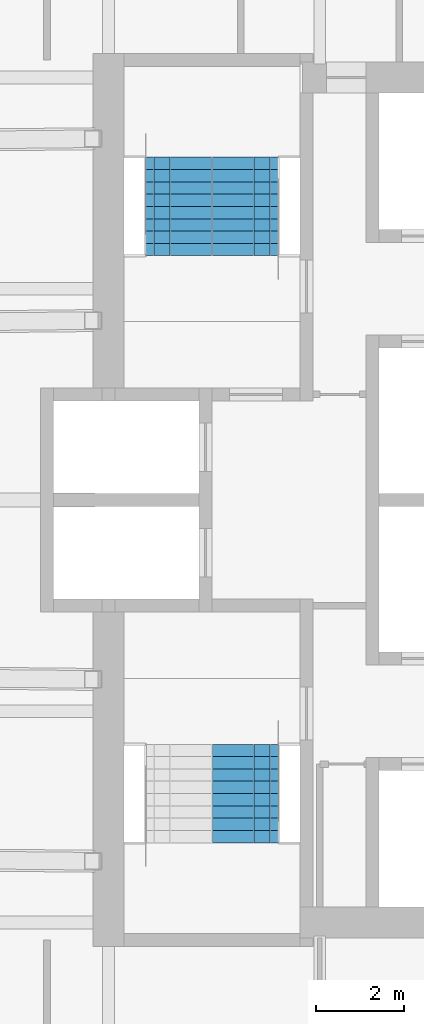
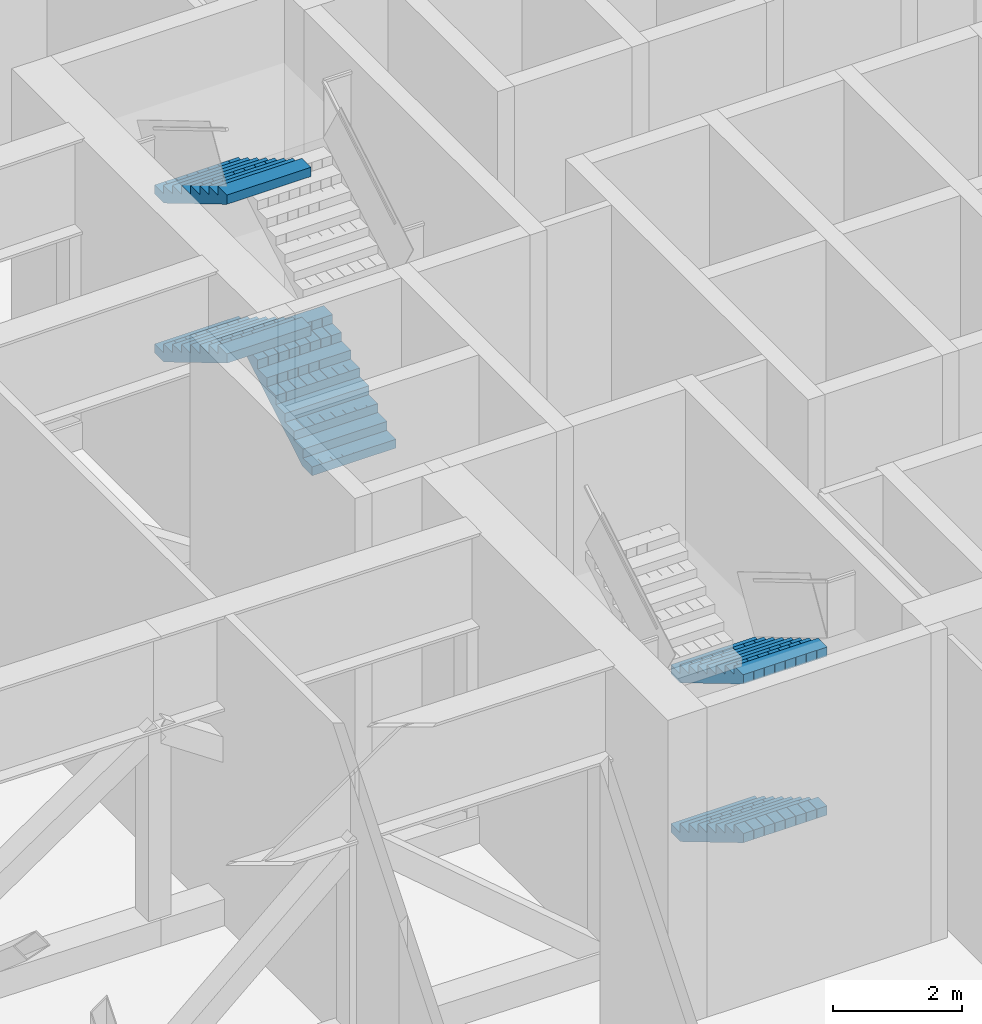
# One storey, part 18 of 24: 5 stair flights, 2 elements without a shape of their own.
"""IFC4 building model written with IfcOpenShell, lengths in metres."""

from ifc_helpers import new_model, si_unit, direction, frame, origin, place, context, subcontext, project, spatial, polyline, outline, extrude, material, type_object, element, aggregate, save


model = new_model("IFC4")

# Units and contexts
model_context = context("Model", 3, precision=1e-05, world=origin(), true_north=direction((0.0, 1.0)))
body_context = subcontext(model_context, "Body", "Model", "MODEL_VIEW")
ifc_project = project(units=[si_unit("LENGTHUNIT", "METRE"), si_unit("AREAUNIT", "SQUARE_METRE"), si_unit("VOLUMEUNIT", "CUBIC_METRE"), si_unit("PLANEANGLEUNIT", "RADIAN"), si_unit("MASSUNIT", "GRAM", prefix="KILO")], contexts=[model_context])

# Site, building, storey
site_placement = place(None, origin())
site = spatial("IfcSite", under=ifc_project, at=site_placement, CompositionType="ELEMENT")
building_placement = place(site_placement, origin())
building = spatial("IfcBuilding", under=site, at=building_placement, Name="Kolab Exchange Tower", CompositionType="ELEMENT")
storey_placement = place(building_placement, frame((0.0, 0.0, 216.800048828125)))
storey = spatial("IfcBuildingStorey", under=building, at=storey_placement, Name="L47", CompositionType="ELEMENT", Elevation=216.800048828125)

# Stair, stair flights
ifc_material = material(Name="Concrete C50/60", Category="concrete")
stair_type_1 = type_object("IfcStairType", Name="STAIR ST1 RISER 166.7", PredefinedType="DOUBLE_RETURN_STAIR", material=ifc_material)
stair_1_placement = place(storey_placement, origin())
stair_1 = element("IfcStair", 1, at=stair_1_placement, inside=storey, type_object=stair_type_1, Name="Stair 1", PredefinedType="DOUBLE_RETURN_STAIR")
stair_flight_type = type_object("IfcStairFlightType", Name="STAIR FLIGHT 1500 RISER 166.7", PredefinedType="STRAIGHT", material=ifc_material)
stair_flight_1_placement = place(storey_placement, frame((-6.489990234375, 5.550048828125, 0.0), z_axis=(0.0, 0.0, 1.0), x_axis=(0.0, 1.0, 0.0)))
stair_flight_1 = element("IfcStairFlight", 2, at=stair_flight_1_placement, type_object=stair_flight_type, Name="ST1 flight 1", NumberOfRisers=9, NumberOfTreads=8, PredefinedType="STRAIGHT", RiserHeight=0.166666667, TreadLength=0.28, context=body_context, shape_type="SweptSolid", body=[
    extrude(outline(polyline([(0.0, 0.0), (0.0, 0.166748046875), (0.280029296875, 0.166748046875), (0.280029296875, 0.333251953125), (0.56005859375, 0.333251953125), (0.56005859375, 0.5), (0.840087890625, 0.5), (0.840087890625, 0.666748046875), (1.1201171875, 0.666748046875), (1.1201171875, 0.833251953125), (1.39990234375, 0.833251953125), (1.39990234375, 1.0), (1.679931640625, 1.0), (1.679931640625, 1.166748046875), (1.9599609375, 1.166748046875), (1.9599609375, 1.333251953125), (2.239990234375, 1.333251953125), (2.239990234375, 1.5), (2.239990234375, 1.158935546875), (0.29296875, 0.0), (0.0, 0.0)])), frame((0.0, 0.75, 0.0), z_axis=(0.0, -1.0, 0.0), x_axis=(1.0, 0.0, 0.0)), (0.0, 0.0, 1.0), 0.185791015625),
    extrude(outline(polyline([(0.0, 0.0), (0.0, 0.166748046875), (0.280029296875, 0.166748046875), (0.280029296875, 0.333251953125), (0.56005859375, 0.333251953125), (0.56005859375, 0.5), (0.840087890625, 0.5), (0.840087890625, 0.666748046875), (1.1201171875, 0.666748046875), (1.1201171875, 0.833251953125), (1.39990234375, 0.833251953125), (1.39990234375, 1.0), (1.679931640625, 1.0), (1.679931640625, 1.166748046875), (1.9599609375, 1.166748046875), (1.9599609375, 1.333251953125), (2.239990234375, 1.333251953125), (2.239990234375, 1.5), (2.239990234375, 1.158935546875), (0.29296875, 0.0), (0.0, 0.0)])), frame((0.0, 0.562255859375, 0.0), z_axis=(0.0, -1.0, 0.0), x_axis=(1.0, 0.0, 0.0)), (0.0, 0.0, 1.0), 0.185791015625),
    extrude(outline(polyline([(0.0, 0.0), (0.0, 0.166748046875), (0.280029296875, 0.166748046875), (0.280029296875, 0.333251953125), (0.56005859375, 0.333251953125), (0.56005859375, 0.5), (0.840087890625, 0.5), (0.840087890625, 0.666748046875), (1.1201171875, 0.666748046875), (1.1201171875, 0.833251953125), (1.39990234375, 0.833251953125), (1.39990234375, 1.0), (1.679931640625, 1.0), (1.679931640625, 1.166748046875), (1.9599609375, 1.166748046875), (1.9599609375, 1.333251953125), (2.239990234375, 1.333251953125), (2.239990234375, 1.5), (2.239990234375, 1.158935546875), (0.29296875, 0.0), (0.0, 0.0)])), frame((0.0, 0.37451171875, 0.0), z_axis=(0.0, -1.0, 0.0), x_axis=(1.0, 0.0, 0.0)), (0.0, 0.0, 1.0), 0.185791015625),
    extrude(outline(polyline([(0.0, 0.0), (0.0, 0.166748046875), (0.280029296875, 0.166748046875), (0.280029296875, 0.333251953125), (0.56005859375, 0.333251953125), (0.56005859375, 0.5), (0.840087890625, 0.5), (0.840087890625, 0.666748046875), (1.1201171875, 0.666748046875), (1.1201171875, 0.833251953125), (1.39990234375, 0.833251953125), (1.39990234375, 1.0), (1.679931640625, 1.0), (1.679931640625, 1.166748046875), (1.9599609375, 1.166748046875), (1.9599609375, 1.333251953125), (2.239990234375, 1.333251953125), (2.239990234375, 1.5), (2.239990234375, 1.158935546875), (0.29296875, 0.0), (0.0, 0.0)])), frame((0.0, 0.186767578125, 0.0), z_axis=(0.0, -1.0, 0.0), x_axis=(1.0, 0.0, 0.0)), (0.0, 0.0, 1.0), 0.185791015625),
    extrude(outline(polyline([(0.0, 0.0), (0.0, 0.166748046875), (0.280029296875, 0.166748046875), (0.280029296875, 0.333251953125), (0.56005859375, 0.333251953125), (0.56005859375, 0.5), (0.840087890625, 0.5), (0.840087890625, 0.666748046875), (1.1201171875, 0.666748046875), (1.1201171875, 0.833251953125), (1.39990234375, 0.833251953125), (1.39990234375, 1.0), (1.679931640625, 1.0), (1.679931640625, 1.166748046875), (1.9599609375, 1.166748046875), (1.9599609375, 1.333251953125), (2.239990234375, 1.333251953125), (2.239990234375, 1.5), (2.239990234375, 1.158935546875), (0.29296875, 0.0), (0.0, 0.0)])), frame((0.0, -0.0009765625, 0.0), z_axis=(0.0, -1.0, 0.0), x_axis=(1.0, 0.0, 0.0)), (0.0, 0.0, 1.0), 0.185791015625),
    extrude(outline(polyline([(0.0, 0.0), (0.0, 0.166748046875), (0.280029296875, 0.166748046875), (0.280029296875, 0.333251953125), (0.56005859375, 0.333251953125), (0.56005859375, 0.5), (0.840087890625, 0.5), (0.840087890625, 0.666748046875), (1.1201171875, 0.666748046875), (1.1201171875, 0.833251953125), (1.39990234375, 0.833251953125), (1.39990234375, 1.0), (1.679931640625, 1.0), (1.679931640625, 1.166748046875), (1.9599609375, 1.166748046875), (1.9599609375, 1.333251953125), (2.239990234375, 1.333251953125), (2.239990234375, 1.5), (2.239990234375, 1.158935546875), (0.29296875, 0.0), (0.0, 0.0)])), frame((0.0, -0.188720703125, 0.0), z_axis=(0.0, -1.0, 0.0), x_axis=(1.0, 0.0, 0.0)), (0.0, 0.0, 1.0), 0.185791015625),
    extrude(outline(polyline([(0.0, 0.0), (0.0, 0.166748046875), (0.280029296875, 0.166748046875), (0.280029296875, 0.333251953125), (0.56005859375, 0.333251953125), (0.56005859375, 0.5), (0.840087890625, 0.5), (0.840087890625, 0.666748046875), (1.1201171875, 0.666748046875), (1.1201171875, 0.833251953125), (1.39990234375, 0.833251953125), (1.39990234375, 1.0), (1.679931640625, 1.0), (1.679931640625, 1.166748046875), (1.9599609375, 1.166748046875), (1.9599609375, 1.333251953125), (2.239990234375, 1.333251953125), (2.239990234375, 1.5), (2.239990234375, 1.158935546875), (0.29296875, 0.0), (0.0, 0.0)])), frame((0.0, -0.37646484375, 0.0), z_axis=(0.0, -1.0, 0.0), x_axis=(1.0, 0.0, 0.0)), (0.0, 0.0, 1.0), 0.185791015625),
    extrude(outline(polyline([(0.0, 0.0), (0.0, 0.166748046875), (0.280029296875, 0.166748046875), (0.280029296875, 0.333251953125), (0.56005859375, 0.333251953125), (0.56005859375, 0.5), (0.840087890625, 0.5), (0.840087890625, 0.666748046875), (1.1201171875, 0.666748046875), (1.1201171875, 0.833251953125), (1.39990234375, 0.833251953125), (1.39990234375, 1.0), (1.679931640625, 1.0), (1.679931640625, 1.166748046875), (1.9599609375, 1.166748046875), (1.9599609375, 1.333251953125), (2.239990234375, 1.333251953125), (2.239990234375, 1.5), (2.239990234375, 1.158935546875), (0.29296875, 0.0), (0.0, 0.0)])), frame((0.0, -0.564208984375, 0.0), z_axis=(0.0, -1.0, 0.0), x_axis=(1.0, 0.0, 0.0)), (0.0, 0.0, 1.0), 0.185791015625),
])
stair_flight_2_placement = place(storey_placement, frame((-8.010009765625, 7.7900390625, 1.5), z_axis=(0.0, 0.0, 1.0), x_axis=(0.0, -1.0, 0.0)))
stair_flight_2 = element("IfcStairFlight", 3, at=stair_flight_2_placement, type_object=stair_flight_type, Name="ST1 flight 2", NumberOfRisers=9, NumberOfTreads=8, PredefinedType="STRAIGHT", RiserHeight=0.166666667, TreadLength=0.28, context=body_context, shape_type="SweptSolid", body=[
    extrude(outline(polyline([(0.0, 0.0), (0.0, 0.166748046875), (0.280029296875, 0.166748046875), (0.280029296875, 0.333251953125), (0.56005859375, 0.333251953125), (0.56005859375, 0.5), (0.840087890625, 0.5), (0.840087890625, 0.666748046875), (1.1201171875, 0.666748046875), (1.1201171875, 0.833251953125), (1.39990234375, 0.833251953125), (1.39990234375, 1.0), (1.679931640625, 1.0), (1.679931640625, 1.166748046875), (1.9599609375, 1.166748046875), (1.9599609375, 1.333251953125), (2.239990234375, 1.333251953125), (2.239990234375, 1.5), (2.239990234375, 1.158935546875), (0.29296875, 0.0), (0.0, 0.0)])), frame((0.0, 0.75, 0.0), z_axis=(0.0, -1.0, 0.0), x_axis=(1.0, 0.0, 0.0)), (0.0, 0.0, 1.0), 0.185791015625),
    extrude(outline(polyline([(0.0, 0.0), (0.0, 0.166748046875), (0.280029296875, 0.166748046875), (0.280029296875, 0.333251953125), (0.56005859375, 0.333251953125), (0.56005859375, 0.5), (0.840087890625, 0.5), (0.840087890625, 0.666748046875), (1.1201171875, 0.666748046875), (1.1201171875, 0.833251953125), (1.39990234375, 0.833251953125), (1.39990234375, 1.0), (1.679931640625, 1.0), (1.679931640625, 1.166748046875), (1.9599609375, 1.166748046875), (1.9599609375, 1.333251953125), (2.239990234375, 1.333251953125), (2.239990234375, 1.5), (2.239990234375, 1.158935546875), (0.29296875, 0.0), (0.0, 0.0)])), frame((0.0, 0.562255859375, 0.0), z_axis=(0.0, -1.0, 0.0), x_axis=(1.0, 0.0, 0.0)), (0.0, 0.0, 1.0), 0.185791015625),
    extrude(outline(polyline([(0.0, 0.0), (0.0, 0.166748046875), (0.280029296875, 0.166748046875), (0.280029296875, 0.333251953125), (0.56005859375, 0.333251953125), (0.56005859375, 0.5), (0.840087890625, 0.5), (0.840087890625, 0.666748046875), (1.1201171875, 0.666748046875), (1.1201171875, 0.833251953125), (1.39990234375, 0.833251953125), (1.39990234375, 1.0), (1.679931640625, 1.0), (1.679931640625, 1.166748046875), (1.9599609375, 1.166748046875), (1.9599609375, 1.333251953125), (2.239990234375, 1.333251953125), (2.239990234375, 1.5), (2.239990234375, 1.158935546875), (0.29296875, 0.0), (0.0, 0.0)])), frame((0.0, 0.37451171875, 0.0), z_axis=(0.0, -1.0, 0.0), x_axis=(1.0, 0.0, 0.0)), (0.0, 0.0, 1.0), 0.185791015625),
    extrude(outline(polyline([(0.0, 0.0), (0.0, 0.166748046875), (0.280029296875, 0.166748046875), (0.280029296875, 0.333251953125), (0.56005859375, 0.333251953125), (0.56005859375, 0.5), (0.840087890625, 0.5), (0.840087890625, 0.666748046875), (1.1201171875, 0.666748046875), (1.1201171875, 0.833251953125), (1.39990234375, 0.833251953125), (1.39990234375, 1.0), (1.679931640625, 1.0), (1.679931640625, 1.166748046875), (1.9599609375, 1.166748046875), (1.9599609375, 1.333251953125), (2.239990234375, 1.333251953125), (2.239990234375, 1.5), (2.239990234375, 1.158935546875), (0.29296875, 0.0), (0.0, 0.0)])), frame((0.0, 0.186767578125, 0.0), z_axis=(0.0, -1.0, 0.0), x_axis=(1.0, 0.0, 0.0)), (0.0, 0.0, 1.0), 0.185791015625),
    extrude(outline(polyline([(0.0, 0.0), (0.0, 0.166748046875), (0.280029296875, 0.166748046875), (0.280029296875, 0.333251953125), (0.56005859375, 0.333251953125), (0.56005859375, 0.5), (0.840087890625, 0.5), (0.840087890625, 0.666748046875), (1.1201171875, 0.666748046875), (1.1201171875, 0.833251953125), (1.39990234375, 0.833251953125), (1.39990234375, 1.0), (1.679931640625, 1.0), (1.679931640625, 1.166748046875), (1.9599609375, 1.166748046875), (1.9599609375, 1.333251953125), (2.239990234375, 1.333251953125), (2.239990234375, 1.5), (2.239990234375, 1.158935546875), (0.29296875, 0.0), (0.0, 0.0)])), frame((0.0, -0.0009765625, 0.0), z_axis=(0.0, -1.0, 0.0), x_axis=(1.0, 0.0, 0.0)), (0.0, 0.0, 1.0), 0.185791015625),
    extrude(outline(polyline([(0.0, 0.0), (0.0, 0.166748046875), (0.280029296875, 0.166748046875), (0.280029296875, 0.333251953125), (0.56005859375, 0.333251953125), (0.56005859375, 0.5), (0.840087890625, 0.5), (0.840087890625, 0.666748046875), (1.1201171875, 0.666748046875), (1.1201171875, 0.833251953125), (1.39990234375, 0.833251953125), (1.39990234375, 1.0), (1.679931640625, 1.0), (1.679931640625, 1.166748046875), (1.9599609375, 1.166748046875), (1.9599609375, 1.333251953125), (2.239990234375, 1.333251953125), (2.239990234375, 1.5), (2.239990234375, 1.158935546875), (0.29296875, 0.0), (0.0, 0.0)])), frame((0.0, -0.188720703125, 0.0), z_axis=(0.0, -1.0, 0.0), x_axis=(1.0, 0.0, 0.0)), (0.0, 0.0, 1.0), 0.185791015625),
    extrude(outline(polyline([(0.0, 0.0), (0.0, 0.166748046875), (0.280029296875, 0.166748046875), (0.280029296875, 0.333251953125), (0.56005859375, 0.333251953125), (0.56005859375, 0.5), (0.840087890625, 0.5), (0.840087890625, 0.666748046875), (1.1201171875, 0.666748046875), (1.1201171875, 0.833251953125), (1.39990234375, 0.833251953125), (1.39990234375, 1.0), (1.679931640625, 1.0), (1.679931640625, 1.166748046875), (1.9599609375, 1.166748046875), (1.9599609375, 1.333251953125), (2.239990234375, 1.333251953125), (2.239990234375, 1.5), (2.239990234375, 1.158935546875), (0.29296875, 0.0), (0.0, 0.0)])), frame((0.0, -0.37646484375, 0.0), z_axis=(0.0, -1.0, 0.0), x_axis=(1.0, 0.0, 0.0)), (0.0, 0.0, 1.0), 0.185791015625),
    extrude(outline(polyline([(0.0, 0.0), (0.0, 0.166748046875), (0.280029296875, 0.166748046875), (0.280029296875, 0.333251953125), (0.56005859375, 0.333251953125), (0.56005859375, 0.5), (0.840087890625, 0.5), (0.840087890625, 0.666748046875), (1.1201171875, 0.666748046875), (1.1201171875, 0.833251953125), (1.39990234375, 0.833251953125), (1.39990234375, 1.0), (1.679931640625, 1.0), (1.679931640625, 1.166748046875), (1.9599609375, 1.166748046875), (1.9599609375, 1.333251953125), (2.239990234375, 1.333251953125), (2.239990234375, 1.5), (2.239990234375, 1.158935546875), (0.29296875, 0.0), (0.0, 0.0)])), frame((0.0, -0.564208984375, 0.0), z_axis=(0.0, -1.0, 0.0), x_axis=(1.0, 0.0, 0.0)), (0.0, 0.0, 1.0), 0.185791015625),
])
stair_flight_3_placement = place(storey_placement, frame((-8.010009765625, 7.7900390625, 4.5), z_axis=(0.0, 0.0, 1.0), x_axis=(0.0, -1.0, 0.0)))
stair_flight_3 = element("IfcStairFlight", 4, at=stair_flight_3_placement, type_object=stair_flight_type, Name="ST1 flight 4", NumberOfRisers=9, NumberOfTreads=8, PredefinedType="STRAIGHT", RiserHeight=0.166666667, TreadLength=0.28, context=body_context, shape_type="SweptSolid", body=[
    extrude(outline(polyline([(0.0, 0.0), (0.0, 0.166748046875), (0.280029296875, 0.166748046875), (0.280029296875, 0.333251953125), (0.56005859375, 0.333251953125), (0.56005859375, 0.5), (0.840087890625, 0.5), (0.840087890625, 0.666748046875), (1.1201171875, 0.666748046875), (1.1201171875, 0.833251953125), (1.39990234375, 0.833251953125), (1.39990234375, 1.0), (1.679931640625, 1.0), (1.679931640625, 1.166748046875), (1.9599609375, 1.166748046875), (1.9599609375, 1.333251953125), (2.239990234375, 1.333251953125), (2.239990234375, 1.5), (2.239990234375, 1.158935546875), (0.29296875, 0.0), (0.0, 0.0)])), frame((0.0, 0.75, 0.0), z_axis=(0.0, -1.0, 0.0), x_axis=(1.0, 0.0, 0.0)), (0.0, 0.0, 1.0), 0.185791015625),
    extrude(outline(polyline([(0.0, 0.0), (0.0, 0.166748046875), (0.280029296875, 0.166748046875), (0.280029296875, 0.333251953125), (0.56005859375, 0.333251953125), (0.56005859375, 0.5), (0.840087890625, 0.5), (0.840087890625, 0.666748046875), (1.1201171875, 0.666748046875), (1.1201171875, 0.833251953125), (1.39990234375, 0.833251953125), (1.39990234375, 1.0), (1.679931640625, 1.0), (1.679931640625, 1.166748046875), (1.9599609375, 1.166748046875), (1.9599609375, 1.333251953125), (2.239990234375, 1.333251953125), (2.239990234375, 1.5), (2.239990234375, 1.158935546875), (0.29296875, 0.0), (0.0, 0.0)])), frame((0.0, 0.562255859375, 0.0), z_axis=(0.0, -1.0, 0.0), x_axis=(1.0, 0.0, 0.0)), (0.0, 0.0, 1.0), 0.185791015625),
    extrude(outline(polyline([(0.0, 0.0), (0.0, 0.166748046875), (0.280029296875, 0.166748046875), (0.280029296875, 0.333251953125), (0.56005859375, 0.333251953125), (0.56005859375, 0.5), (0.840087890625, 0.5), (0.840087890625, 0.666748046875), (1.1201171875, 0.666748046875), (1.1201171875, 0.833251953125), (1.39990234375, 0.833251953125), (1.39990234375, 1.0), (1.679931640625, 1.0), (1.679931640625, 1.166748046875), (1.9599609375, 1.166748046875), (1.9599609375, 1.333251953125), (2.239990234375, 1.333251953125), (2.239990234375, 1.5), (2.239990234375, 1.158935546875), (0.29296875, 0.0), (0.0, 0.0)])), frame((0.0, 0.37451171875, 0.0), z_axis=(0.0, -1.0, 0.0), x_axis=(1.0, 0.0, 0.0)), (0.0, 0.0, 1.0), 0.185791015625),
    extrude(outline(polyline([(0.0, 0.0), (0.0, 0.166748046875), (0.280029296875, 0.166748046875), (0.280029296875, 0.333251953125), (0.56005859375, 0.333251953125), (0.56005859375, 0.5), (0.840087890625, 0.5), (0.840087890625, 0.666748046875), (1.1201171875, 0.666748046875), (1.1201171875, 0.833251953125), (1.39990234375, 0.833251953125), (1.39990234375, 1.0), (1.679931640625, 1.0), (1.679931640625, 1.166748046875), (1.9599609375, 1.166748046875), (1.9599609375, 1.333251953125), (2.239990234375, 1.333251953125), (2.239990234375, 1.5), (2.239990234375, 1.158935546875), (0.29296875, 0.0), (0.0, 0.0)])), frame((0.0, 0.186767578125, 0.0), z_axis=(0.0, -1.0, 0.0), x_axis=(1.0, 0.0, 0.0)), (0.0, 0.0, 1.0), 0.185791015625),
    extrude(outline(polyline([(0.0, 0.0), (0.0, 0.166748046875), (0.280029296875, 0.166748046875), (0.280029296875, 0.333251953125), (0.56005859375, 0.333251953125), (0.56005859375, 0.5), (0.840087890625, 0.5), (0.840087890625, 0.666748046875), (1.1201171875, 0.666748046875), (1.1201171875, 0.833251953125), (1.39990234375, 0.833251953125), (1.39990234375, 1.0), (1.679931640625, 1.0), (1.679931640625, 1.166748046875), (1.9599609375, 1.166748046875), (1.9599609375, 1.333251953125), (2.239990234375, 1.333251953125), (2.239990234375, 1.5), (2.239990234375, 1.158935546875), (0.29296875, 0.0), (0.0, 0.0)])), frame((0.0, -0.0009765625, 0.0), z_axis=(0.0, -1.0, 0.0), x_axis=(1.0, 0.0, 0.0)), (0.0, 0.0, 1.0), 0.185791015625),
    extrude(outline(polyline([(0.0, 0.0), (0.0, 0.166748046875), (0.280029296875, 0.166748046875), (0.280029296875, 0.333251953125), (0.56005859375, 0.333251953125), (0.56005859375, 0.5), (0.840087890625, 0.5), (0.840087890625, 0.666748046875), (1.1201171875, 0.666748046875), (1.1201171875, 0.833251953125), (1.39990234375, 0.833251953125), (1.39990234375, 1.0), (1.679931640625, 1.0), (1.679931640625, 1.166748046875), (1.9599609375, 1.166748046875), (1.9599609375, 1.333251953125), (2.239990234375, 1.333251953125), (2.239990234375, 1.5), (2.239990234375, 1.158935546875), (0.29296875, 0.0), (0.0, 0.0)])), frame((0.0, -0.188720703125, 0.0), z_axis=(0.0, -1.0, 0.0), x_axis=(1.0, 0.0, 0.0)), (0.0, 0.0, 1.0), 0.185791015625),
    extrude(outline(polyline([(0.0, 0.0), (0.0, 0.166748046875), (0.280029296875, 0.166748046875), (0.280029296875, 0.333251953125), (0.56005859375, 0.333251953125), (0.56005859375, 0.5), (0.840087890625, 0.5), (0.840087890625, 0.666748046875), (1.1201171875, 0.666748046875), (1.1201171875, 0.833251953125), (1.39990234375, 0.833251953125), (1.39990234375, 1.0), (1.679931640625, 1.0), (1.679931640625, 1.166748046875), (1.9599609375, 1.166748046875), (1.9599609375, 1.333251953125), (2.239990234375, 1.333251953125), (2.239990234375, 1.5), (2.239990234375, 1.158935546875), (0.29296875, 0.0), (0.0, 0.0)])), frame((0.0, -0.37646484375, 0.0), z_axis=(0.0, -1.0, 0.0), x_axis=(1.0, 0.0, 0.0)), (0.0, 0.0, 1.0), 0.185791015625),
    extrude(outline(polyline([(0.0, 0.0), (0.0, 0.166748046875), (0.280029296875, 0.166748046875), (0.280029296875, 0.333251953125), (0.56005859375, 0.333251953125), (0.56005859375, 0.5), (0.840087890625, 0.5), (0.840087890625, 0.666748046875), (1.1201171875, 0.666748046875), (1.1201171875, 0.833251953125), (1.39990234375, 0.833251953125), (1.39990234375, 1.0), (1.679931640625, 1.0), (1.679931640625, 1.166748046875), (1.9599609375, 1.166748046875), (1.9599609375, 1.333251953125), (2.239990234375, 1.333251953125), (2.239990234375, 1.5), (2.239990234375, 1.158935546875), (0.29296875, 0.0), (0.0, 0.0)])), frame((0.0, -0.564208984375, 0.0), z_axis=(0.0, -1.0, 0.0), x_axis=(1.0, 0.0, 0.0)), (0.0, 0.0, 1.0), 0.185791015625),
])
aggregate(stair_1, [stair_flight_1, stair_flight_2, stair_flight_3])

stair_type_2 = type_object("IfcStairType", Name="STAIR ST3 RISER 166.7", PredefinedType="DOUBLE_RETURN_STAIR", material=ifc_material)
stair_2_placement = place(storey_placement, origin())
stair_2 = element("IfcStair", 5, at=stair_2_placement, inside=storey, type_object=stair_type_2, Name="Stair 3", PredefinedType="DOUBLE_RETURN_STAIR")
stair_flight_4_placement = place(storey_placement, frame((-6.489990234375, -5.550048828125, 0.0), z_axis=(0.0, 0.0, 1.0), x_axis=(0.0, -1.0, 0.0)))
stair_flight_4 = element("IfcStairFlight", 6, at=stair_flight_4_placement, type_object=stair_flight_type, Name="ST3 flight 1", NumberOfRisers=9, NumberOfTreads=8, PredefinedType="STRAIGHT", RiserHeight=0.166666667, TreadLength=0.28, context=body_context, shape_type="SweptSolid", body=[
    extrude(outline(polyline([(0.0, 0.0), (0.0, 0.166748046875), (0.280029296875, 0.166748046875), (0.280029296875, 0.333251953125), (0.56005859375, 0.333251953125), (0.56005859375, 0.5), (0.840087890625, 0.5), (0.840087890625, 0.666748046875), (1.1201171875, 0.666748046875), (1.1201171875, 0.833251953125), (1.39990234375, 0.833251953125), (1.39990234375, 1.0), (1.679931640625, 1.0), (1.679931640625, 1.166748046875), (1.9599609375, 1.166748046875), (1.9599609375, 1.333251953125), (2.239990234375, 1.333251953125), (2.239990234375, 1.5), (2.239990234375, 1.158935546875), (0.29296875, 0.0), (0.0, 0.0)])), frame((0.0, 0.75, 0.0), z_axis=(0.0, -1.0, 0.0), x_axis=(1.0, 0.0, 0.0)), (0.0, 0.0, 1.0), 0.185791015625),
    extrude(outline(polyline([(0.0, 0.0), (0.0, 0.166748046875), (0.280029296875, 0.166748046875), (0.280029296875, 0.333251953125), (0.56005859375, 0.333251953125), (0.56005859375, 0.5), (0.840087890625, 0.5), (0.840087890625, 0.666748046875), (1.1201171875, 0.666748046875), (1.1201171875, 0.833251953125), (1.39990234375, 0.833251953125), (1.39990234375, 1.0), (1.679931640625, 1.0), (1.679931640625, 1.166748046875), (1.9599609375, 1.166748046875), (1.9599609375, 1.333251953125), (2.239990234375, 1.333251953125), (2.239990234375, 1.5), (2.239990234375, 1.158935546875), (0.29296875, 0.0), (0.0, 0.0)])), frame((0.0, 0.562255859375, 0.0), z_axis=(0.0, -1.0, 0.0), x_axis=(1.0, 0.0, 0.0)), (0.0, 0.0, 1.0), 0.185791015625),
    extrude(outline(polyline([(0.0, 0.0), (0.0, 0.166748046875), (0.280029296875, 0.166748046875), (0.280029296875, 0.333251953125), (0.56005859375, 0.333251953125), (0.56005859375, 0.5), (0.840087890625, 0.5), (0.840087890625, 0.666748046875), (1.1201171875, 0.666748046875), (1.1201171875, 0.833251953125), (1.39990234375, 0.833251953125), (1.39990234375, 1.0), (1.679931640625, 1.0), (1.679931640625, 1.166748046875), (1.9599609375, 1.166748046875), (1.9599609375, 1.333251953125), (2.239990234375, 1.333251953125), (2.239990234375, 1.5), (2.239990234375, 1.158935546875), (0.29296875, 0.0), (0.0, 0.0)])), frame((0.0, 0.37451171875, 0.0), z_axis=(0.0, -1.0, 0.0), x_axis=(1.0, 0.0, 0.0)), (0.0, 0.0, 1.0), 0.185791015625),
    extrude(outline(polyline([(0.0, 0.0), (0.0, 0.166748046875), (0.280029296875, 0.166748046875), (0.280029296875, 0.333251953125), (0.56005859375, 0.333251953125), (0.56005859375, 0.5), (0.840087890625, 0.5), (0.840087890625, 0.666748046875), (1.1201171875, 0.666748046875), (1.1201171875, 0.833251953125), (1.39990234375, 0.833251953125), (1.39990234375, 1.0), (1.679931640625, 1.0), (1.679931640625, 1.166748046875), (1.9599609375, 1.166748046875), (1.9599609375, 1.333251953125), (2.239990234375, 1.333251953125), (2.239990234375, 1.5), (2.239990234375, 1.158935546875), (0.29296875, 0.0), (0.0, 0.0)])), frame((0.0, 0.186767578125, 0.0), z_axis=(0.0, -1.0, 0.0), x_axis=(1.0, 0.0, 0.0)), (0.0, 0.0, 1.0), 0.185791015625),
    extrude(outline(polyline([(0.0, 0.0), (0.0, 0.166748046875), (0.280029296875, 0.166748046875), (0.280029296875, 0.333251953125), (0.56005859375, 0.333251953125), (0.56005859375, 0.5), (0.840087890625, 0.5), (0.840087890625, 0.666748046875), (1.1201171875, 0.666748046875), (1.1201171875, 0.833251953125), (1.39990234375, 0.833251953125), (1.39990234375, 1.0), (1.679931640625, 1.0), (1.679931640625, 1.166748046875), (1.9599609375, 1.166748046875), (1.9599609375, 1.333251953125), (2.239990234375, 1.333251953125), (2.239990234375, 1.5), (2.239990234375, 1.158935546875), (0.29296875, 0.0), (0.0, 0.0)])), frame((0.0, -0.0009765625, 0.0), z_axis=(0.0, -1.0, 0.0), x_axis=(1.0, 0.0, 0.0)), (0.0, 0.0, 1.0), 0.185791015625),
    extrude(outline(polyline([(0.0, 0.0), (0.0, 0.166748046875), (0.280029296875, 0.166748046875), (0.280029296875, 0.333251953125), (0.56005859375, 0.333251953125), (0.56005859375, 0.5), (0.840087890625, 0.5), (0.840087890625, 0.666748046875), (1.1201171875, 0.666748046875), (1.1201171875, 0.833251953125), (1.39990234375, 0.833251953125), (1.39990234375, 1.0), (1.679931640625, 1.0), (1.679931640625, 1.166748046875), (1.9599609375, 1.166748046875), (1.9599609375, 1.333251953125), (2.239990234375, 1.333251953125), (2.239990234375, 1.5), (2.239990234375, 1.158935546875), (0.29296875, 0.0), (0.0, 0.0)])), frame((0.0, -0.188720703125, 0.0), z_axis=(0.0, -1.0, 0.0), x_axis=(1.0, 0.0, 0.0)), (0.0, 0.0, 1.0), 0.185791015625),
    extrude(outline(polyline([(0.0, 0.0), (0.0, 0.166748046875), (0.280029296875, 0.166748046875), (0.280029296875, 0.333251953125), (0.56005859375, 0.333251953125), (0.56005859375, 0.5), (0.840087890625, 0.5), (0.840087890625, 0.666748046875), (1.1201171875, 0.666748046875), (1.1201171875, 0.833251953125), (1.39990234375, 0.833251953125), (1.39990234375, 1.0), (1.679931640625, 1.0), (1.679931640625, 1.166748046875), (1.9599609375, 1.166748046875), (1.9599609375, 1.333251953125), (2.239990234375, 1.333251953125), (2.239990234375, 1.5), (2.239990234375, 1.158935546875), (0.29296875, 0.0), (0.0, 0.0)])), frame((0.0, -0.37646484375, 0.0), z_axis=(0.0, -1.0, 0.0), x_axis=(1.0, 0.0, 0.0)), (0.0, 0.0, 1.0), 0.185791015625),
    extrude(outline(polyline([(0.0, 0.0), (0.0, 0.166748046875), (0.280029296875, 0.166748046875), (0.280029296875, 0.333251953125), (0.56005859375, 0.333251953125), (0.56005859375, 0.5), (0.840087890625, 0.5), (0.840087890625, 0.666748046875), (1.1201171875, 0.666748046875), (1.1201171875, 0.833251953125), (1.39990234375, 0.833251953125), (1.39990234375, 1.0), (1.679931640625, 1.0), (1.679931640625, 1.166748046875), (1.9599609375, 1.166748046875), (1.9599609375, 1.333251953125), (2.239990234375, 1.333251953125), (2.239990234375, 1.5), (2.239990234375, 1.158935546875), (0.29296875, 0.0), (0.0, 0.0)])), frame((0.0, -0.564208984375, 0.0), z_axis=(0.0, -1.0, 0.0), x_axis=(1.0, 0.0, 0.0)), (0.0, 0.0, 1.0), 0.185791015625),
])
stair_flight_5_placement = place(storey_placement, frame((-6.489990234375, -5.550048828125, 3.0), z_axis=(0.0, 0.0, 1.0), x_axis=(0.0, -1.0, 0.0)))
stair_flight_5 = element("IfcStairFlight", 7, at=stair_flight_5_placement, type_object=stair_flight_type, Name="ST3 flight 3", NumberOfRisers=9, NumberOfTreads=8, PredefinedType="STRAIGHT", RiserHeight=0.166666667, TreadLength=0.28, context=body_context, shape_type="SweptSolid", body=[
    extrude(outline(polyline([(0.0, 0.0), (0.0, 0.166748046875), (0.280029296875, 0.166748046875), (0.280029296875, 0.333251953125), (0.56005859375, 0.333251953125), (0.56005859375, 0.5), (0.840087890625, 0.5), (0.840087890625, 0.666748046875), (1.1201171875, 0.666748046875), (1.1201171875, 0.833251953125), (1.39990234375, 0.833251953125), (1.39990234375, 1.0), (1.679931640625, 1.0), (1.679931640625, 1.166748046875), (1.9599609375, 1.166748046875), (1.9599609375, 1.333251953125), (2.239990234375, 1.333251953125), (2.239990234375, 1.5), (2.239990234375, 1.158935546875), (0.29296875, 0.0), (0.0, 0.0)])), frame((0.0, 0.75, 0.0), z_axis=(0.0, -1.0, 0.0), x_axis=(1.0, 0.0, 0.0)), (0.0, 0.0, 1.0), 0.185791015625),
    extrude(outline(polyline([(0.0, 0.0), (0.0, 0.166748046875), (0.280029296875, 0.166748046875), (0.280029296875, 0.333251953125), (0.56005859375, 0.333251953125), (0.56005859375, 0.5), (0.840087890625, 0.5), (0.840087890625, 0.666748046875), (1.1201171875, 0.666748046875), (1.1201171875, 0.833251953125), (1.39990234375, 0.833251953125), (1.39990234375, 1.0), (1.679931640625, 1.0), (1.679931640625, 1.166748046875), (1.9599609375, 1.166748046875), (1.9599609375, 1.333251953125), (2.239990234375, 1.333251953125), (2.239990234375, 1.5), (2.239990234375, 1.158935546875), (0.29296875, 0.0), (0.0, 0.0)])), frame((0.0, 0.562255859375, 0.0), z_axis=(0.0, -1.0, 0.0), x_axis=(1.0, 0.0, 0.0)), (0.0, 0.0, 1.0), 0.185791015625),
    extrude(outline(polyline([(0.0, 0.0), (0.0, 0.166748046875), (0.280029296875, 0.166748046875), (0.280029296875, 0.333251953125), (0.56005859375, 0.333251953125), (0.56005859375, 0.5), (0.840087890625, 0.5), (0.840087890625, 0.666748046875), (1.1201171875, 0.666748046875), (1.1201171875, 0.833251953125), (1.39990234375, 0.833251953125), (1.39990234375, 1.0), (1.679931640625, 1.0), (1.679931640625, 1.166748046875), (1.9599609375, 1.166748046875), (1.9599609375, 1.333251953125), (2.239990234375, 1.333251953125), (2.239990234375, 1.5), (2.239990234375, 1.158935546875), (0.29296875, 0.0), (0.0, 0.0)])), frame((0.0, 0.37451171875, 0.0), z_axis=(0.0, -1.0, 0.0), x_axis=(1.0, 0.0, 0.0)), (0.0, 0.0, 1.0), 0.185791015625),
    extrude(outline(polyline([(0.0, 0.0), (0.0, 0.166748046875), (0.280029296875, 0.166748046875), (0.280029296875, 0.333251953125), (0.56005859375, 0.333251953125), (0.56005859375, 0.5), (0.840087890625, 0.5), (0.840087890625, 0.666748046875), (1.1201171875, 0.666748046875), (1.1201171875, 0.833251953125), (1.39990234375, 0.833251953125), (1.39990234375, 1.0), (1.679931640625, 1.0), (1.679931640625, 1.166748046875), (1.9599609375, 1.166748046875), (1.9599609375, 1.333251953125), (2.239990234375, 1.333251953125), (2.239990234375, 1.5), (2.239990234375, 1.158935546875), (0.29296875, 0.0), (0.0, 0.0)])), frame((0.0, 0.186767578125, 0.0), z_axis=(0.0, -1.0, 0.0), x_axis=(1.0, 0.0, 0.0)), (0.0, 0.0, 1.0), 0.185791015625),
    extrude(outline(polyline([(0.0, 0.0), (0.0, 0.166748046875), (0.280029296875, 0.166748046875), (0.280029296875, 0.333251953125), (0.56005859375, 0.333251953125), (0.56005859375, 0.5), (0.840087890625, 0.5), (0.840087890625, 0.666748046875), (1.1201171875, 0.666748046875), (1.1201171875, 0.833251953125), (1.39990234375, 0.833251953125), (1.39990234375, 1.0), (1.679931640625, 1.0), (1.679931640625, 1.166748046875), (1.9599609375, 1.166748046875), (1.9599609375, 1.333251953125), (2.239990234375, 1.333251953125), (2.239990234375, 1.5), (2.239990234375, 1.158935546875), (0.29296875, 0.0), (0.0, 0.0)])), frame((0.0, -0.0009765625, 0.0), z_axis=(0.0, -1.0, 0.0), x_axis=(1.0, 0.0, 0.0)), (0.0, 0.0, 1.0), 0.185791015625),
    extrude(outline(polyline([(0.0, 0.0), (0.0, 0.166748046875), (0.280029296875, 0.166748046875), (0.280029296875, 0.333251953125), (0.56005859375, 0.333251953125), (0.56005859375, 0.5), (0.840087890625, 0.5), (0.840087890625, 0.666748046875), (1.1201171875, 0.666748046875), (1.1201171875, 0.833251953125), (1.39990234375, 0.833251953125), (1.39990234375, 1.0), (1.679931640625, 1.0), (1.679931640625, 1.166748046875), (1.9599609375, 1.166748046875), (1.9599609375, 1.333251953125), (2.239990234375, 1.333251953125), (2.239990234375, 1.5), (2.239990234375, 1.158935546875), (0.29296875, 0.0), (0.0, 0.0)])), frame((0.0, -0.188720703125, 0.0), z_axis=(0.0, -1.0, 0.0), x_axis=(1.0, 0.0, 0.0)), (0.0, 0.0, 1.0), 0.185791015625),
    extrude(outline(polyline([(0.0, 0.0), (0.0, 0.166748046875), (0.280029296875, 0.166748046875), (0.280029296875, 0.333251953125), (0.56005859375, 0.333251953125), (0.56005859375, 0.5), (0.840087890625, 0.5), (0.840087890625, 0.666748046875), (1.1201171875, 0.666748046875), (1.1201171875, 0.833251953125), (1.39990234375, 0.833251953125), (1.39990234375, 1.0), (1.679931640625, 1.0), (1.679931640625, 1.166748046875), (1.9599609375, 1.166748046875), (1.9599609375, 1.333251953125), (2.239990234375, 1.333251953125), (2.239990234375, 1.5), (2.239990234375, 1.158935546875), (0.29296875, 0.0), (0.0, 0.0)])), frame((0.0, -0.37646484375, 0.0), z_axis=(0.0, -1.0, 0.0), x_axis=(1.0, 0.0, 0.0)), (0.0, 0.0, 1.0), 0.185791015625),
    extrude(outline(polyline([(0.0, 0.0), (0.0, 0.166748046875), (0.280029296875, 0.166748046875), (0.280029296875, 0.333251953125), (0.56005859375, 0.333251953125), (0.56005859375, 0.5), (0.840087890625, 0.5), (0.840087890625, 0.666748046875), (1.1201171875, 0.666748046875), (1.1201171875, 0.833251953125), (1.39990234375, 0.833251953125), (1.39990234375, 1.0), (1.679931640625, 1.0), (1.679931640625, 1.166748046875), (1.9599609375, 1.166748046875), (1.9599609375, 1.333251953125), (2.239990234375, 1.333251953125), (2.239990234375, 1.5), (2.239990234375, 1.158935546875), (0.29296875, 0.0), (0.0, 0.0)])), frame((0.0, -0.564208984375, 0.0), z_axis=(0.0, -1.0, 0.0), x_axis=(1.0, 0.0, 0.0)), (0.0, 0.0, 1.0), 0.185791015625),
])
aggregate(stair_2, [stair_flight_4, stair_flight_5])

save(model, "model.ifc")
